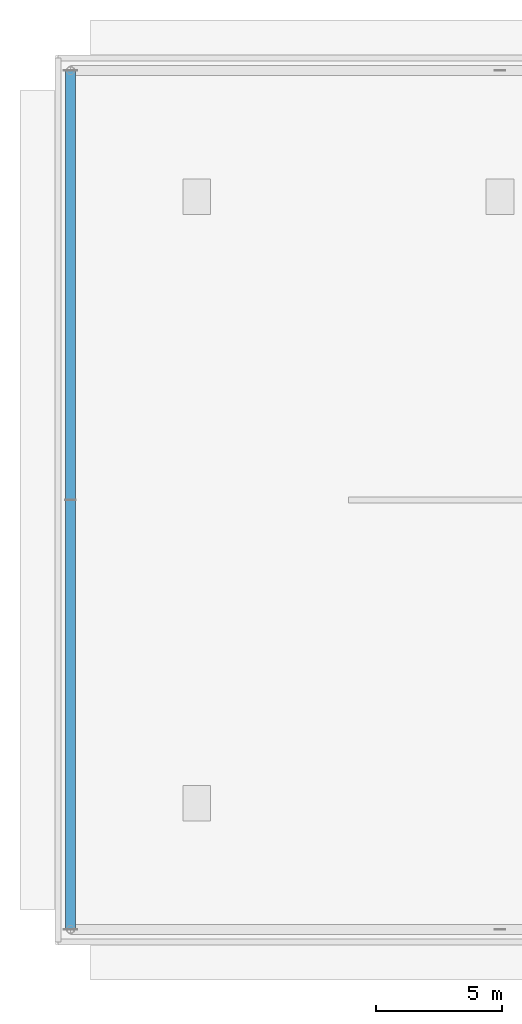
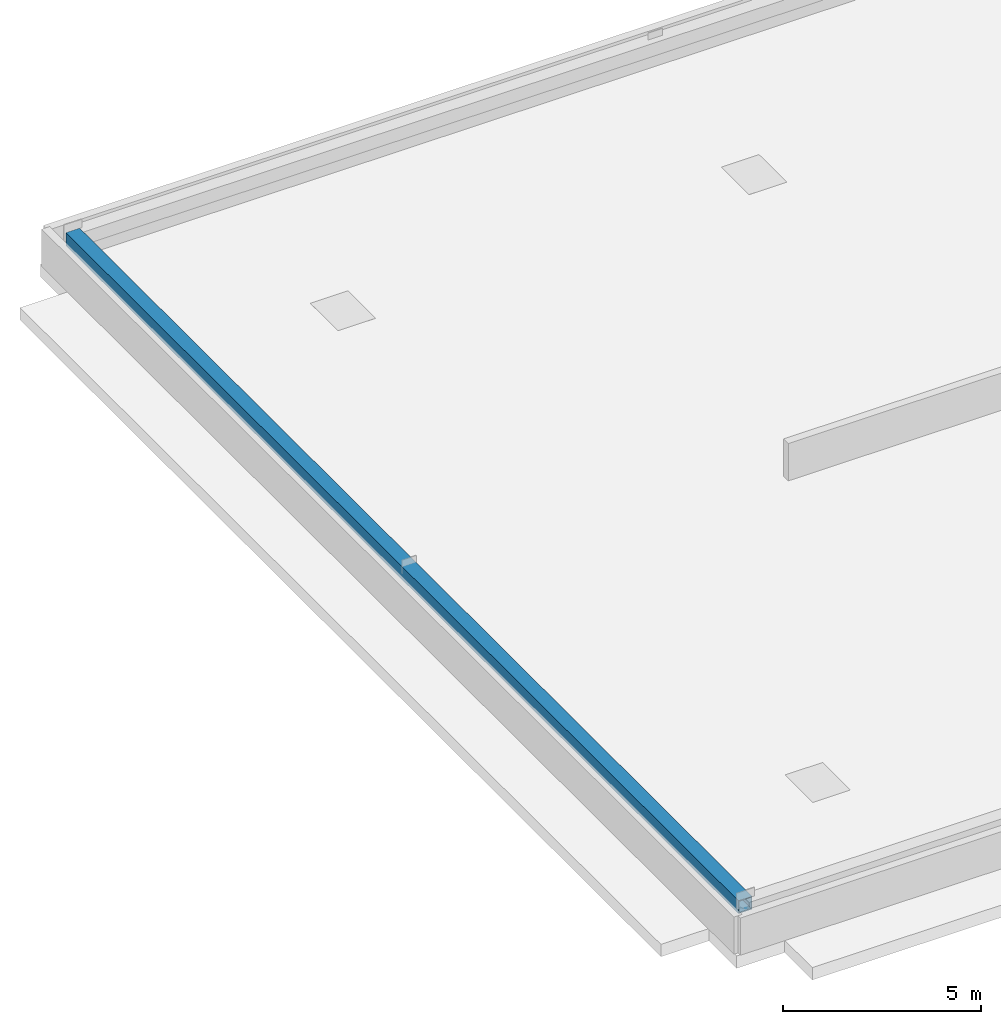
# One storey, part 2 of 9: 1 member.
"""IFC4 building model written with IfcOpenShell, lengths in metres."""

from ifc_helpers import new_model, si_unit, direction, frame, origin, origin_2d, place, context, subcontext, project, spatial, hollow_rectangle, extrude, source, transform, mapped, material, material_profile, profile_set, type_object, element, save


model = new_model("IFC4")

# Units and contexts
model_context = context("Model", 3, precision=1e-05, world=origin(), true_north=direction((0.0, 1.0)))
body_context = subcontext(model_context, "Body", "Model", "MODEL_VIEW")
ifc_project = project(units=[si_unit("LENGTHUNIT", "METRE"), si_unit("AREAUNIT", "SQUARE_METRE"), si_unit("VOLUMEUNIT", "CUBIC_METRE"), si_unit("PLANEANGLEUNIT", "RADIAN"), si_unit("MASSUNIT", "GRAM", prefix="KILO")], contexts=[model_context])

# Site, building, storey
site_placement = place(None, origin())
site = spatial("IfcSite", under=ifc_project, at=site_placement, CompositionType="ELEMENT")
building_placement = place(site_placement, origin())
building = spatial("IfcBuilding", under=site, at=building_placement, Name="Nahalor Promenade Grand Hotel", CompositionType="ELEMENT")
storey_placement = place(building_placement, frame((0.0, 0.0, 375.449951171875)))
storey = spatial("IfcBuildingStorey", under=building, at=storey_placement, Name="RF", CompositionType="ELEMENT", Elevation=375.449951171875)

# Member
ifc_material = material(Name="Steel S355JR", Category="steel")
ifc_material_profile = material_profile(ifc_material, hollow_rectangle(XDim=0.4, YDim=0.4, WallThickness=0.022, at=origin_2d()), Name="SHS 400x400x22")
ifc_profile_set = profile_set([ifc_material_profile], Name="Steel S355JR")
member_type = type_object("IfcMemberType", Name="Mem-ExoBrace-SHS400", PredefinedType="BRACE", material=ifc_profile_set)
shared_shape = source(origin(), body_context, "Body", "SweptSolid", [
    extrude(hollow_rectangle(XDim=0.4, YDim=0.4, WallThickness=0.022, at=origin_2d()), origin(), (0.0, 0.0, 1.0), 34.0),
])
member_placement = place(storey_placement, frame((-17.0, 17.0, 1.0), z_axis=(0.0, -1.0, 0.0), x_axis=(1.0, 0.0, 0.0)))
element("IfcMember", 1, at=member_placement, inside=storey, type_object=member_type, Name="RF-CORNICE-3", PredefinedType="BRACE", context=body_context, shape_type="MappedRepresentation", body=[
    mapped(shared_shape, transform((0.0, 0.0, 0.0), scale=1.0)),
])

save(model, "model.ifc")
